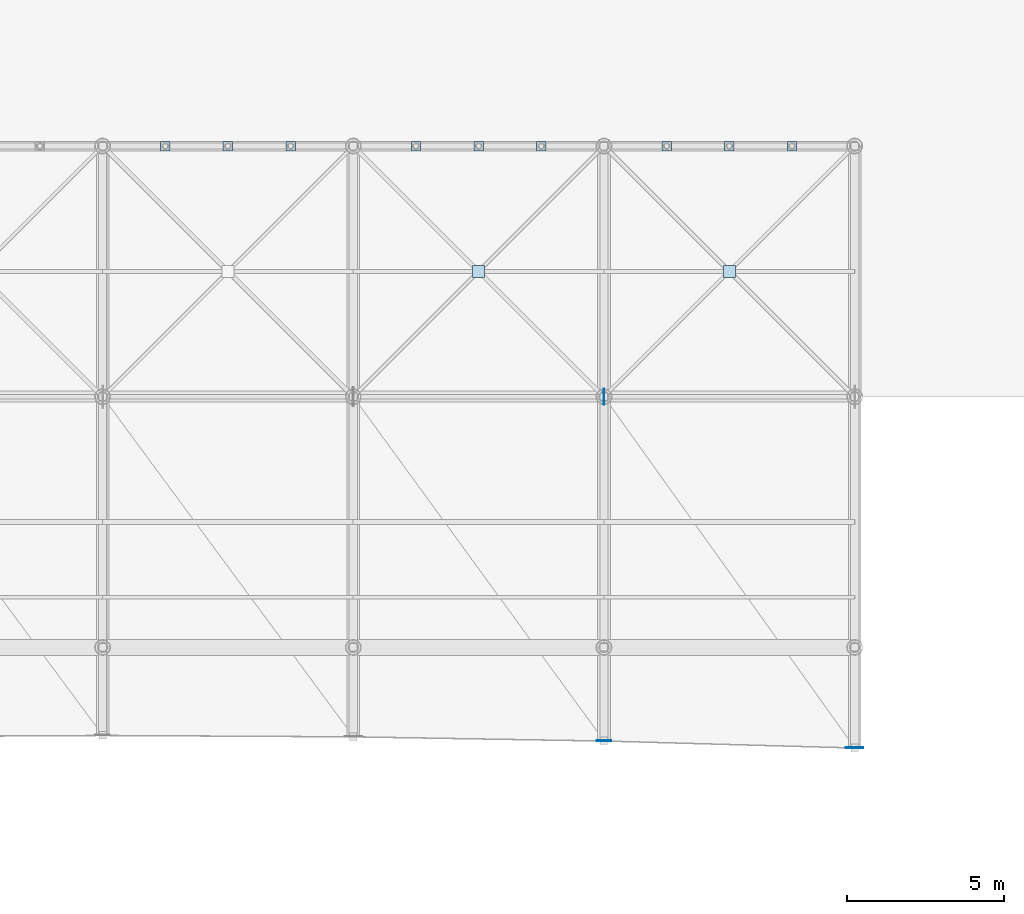
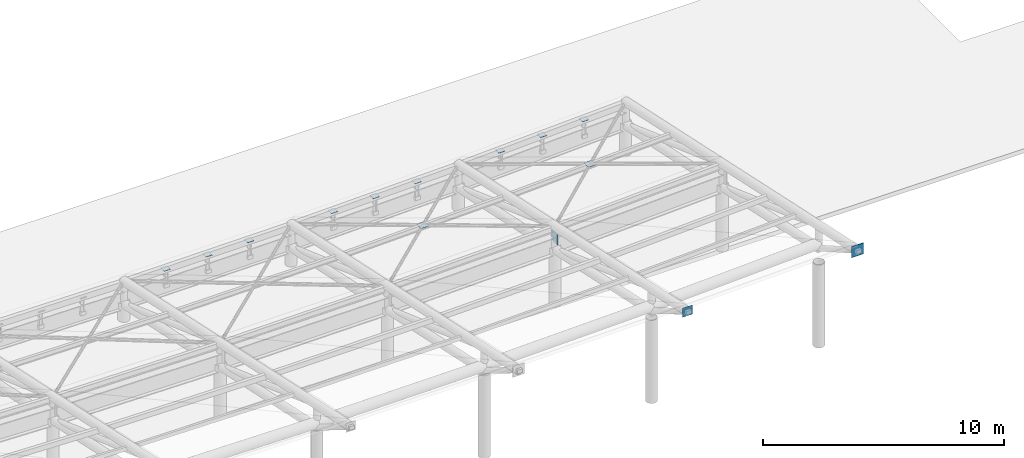
# One storey, part 38 of 54: 14 plates.
"""IFC4 building model written with IfcOpenShell, lengths in metres."""

from ifc_helpers import new_model, si_unit, direction, frame, origin, origin_2d, place, context, subcontext, project, spatial, rectangle, extrude, material, layer, layer_set, type_object, element, save


model = new_model("IFC4")

# Units and contexts
model_context = context("Model", 3, precision=1e-05, world=origin(), true_north=direction((0.0, 1.0)))
body_context = subcontext(model_context, "Body", "Model", "MODEL_VIEW")
ifc_project = project(units=[si_unit("LENGTHUNIT", "METRE"), si_unit("AREAUNIT", "SQUARE_METRE"), si_unit("VOLUMEUNIT", "CUBIC_METRE"), si_unit("PLANEANGLEUNIT", "RADIAN"), si_unit("MASSUNIT", "GRAM", prefix="KILO")], contexts=[model_context])

# Site, building, storey
site_placement = place(None, origin())
site = spatial("IfcSite", under=ifc_project, at=site_placement, CompositionType="ELEMENT")
building_placement = place(site_placement, origin())
building = spatial("IfcBuilding", under=site, at=building_placement, Name="Haebicheon Civic Stadium", CompositionType="ELEMENT")
storey_placement = place(building_placement, frame((0.0, 0.0, 22.800048828125)))
storey = spatial("IfcBuildingStorey", under=building, at=storey_placement, Name="L06", CompositionType="ELEMENT", Elevation=22.800048828125)

# Plates
ifc_material_1 = material(Name="White painted steel SM490", Category="steel")
ifc_layer_1 = layer(ifc_material_1, 0.013916015625, Name="White painted steel SM490")
ifc_layer_set_1 = layer_set([ifc_layer_1], Name="White painted steel SM490")
plate_type_1 = type_object("IfcPlateType", Name="PLT-CAP-14", PredefinedType="SHEET", material=ifc_layer_set_1)
for number, where, z_axis, x_axis, name in (
    (1, (106.0, 160.0, 1.837890625), (0.0, 0.0, 1.0), (1.0, 0.0, 0.0), "CAN-NORTH hanger clevis cap plate 4.1"),
    (2, (108.0, 160.0, 1.85693359375), (0.0, 0.0, 1.0), (1.0, 0.0, 0.0), "CAN-NORTH hanger clevis cap plate 4.2"),
    (3, (110.0, 160.0, 1.875), (0.0, 0.0, 1.0), (1.0, 0.0, 0.0), "CAN-NORTH hanger clevis cap plate 4.3"),
    (4, (114.0, 160.0, 1.94775390625), (0.0, 0.0, 1.0), (1.0, 0.0, 0.0), "CAN-NORTH hanger clevis cap plate 5.1"),
    (5, (116.0, 160.0, 2.0029296875), (0.0, 0.0, 1.0), (1.0, 0.0, 0.0), "CAN-NORTH hanger clevis cap plate 5.2"),
    (6, (118.0, 160.0, 2.05810546875), (0.0, 0.0, 1.0), (1.0, 0.0, 0.0), "CAN-NORTH hanger clevis cap plate 5.3"),
    (7, (122.0, 160.0, 2.205078125), (0.0, 0.0, 1.0), (1.0, 0.0, 0.0), "CAN-NORTH hanger clevis cap plate 6.1"),
    (8, (124.0, 160.0, 2.296875), (0.0, 0.0, 1.0), (1.0, 0.0, 0.0), "CAN-NORTH hanger clevis cap plate 6.2"),
    (9, (126.0, 160.0, 2.38818359375), (0.0, 0.0, 1.0), (1.0, 0.0, 0.0), "CAN-NORTH hanger clevis cap plate 6.3"),
):
    element("IfcPlate", number, at=place(storey_placement, frame(where, z_axis=z_axis, x_axis=x_axis)), inside=storey, type_object=plate_type_1, material=ifc_layer_set_1, Name=name, PredefinedType="SHEET", context=body_context, shape_type="SweptSolid", body=[
        extrude(rectangle(XDim=0.300048828125, YDim=0.300048828125, at=origin_2d()), origin(), (0.0, 0.0, 1.0), 0.013916015625),
    ])
ifc_material_2 = material(Name="White painted steel SM490", Category="steel")
ifc_layer_2 = layer(ifc_material_2, 0.02001953125, Name="White painted steel SM490")
ifc_layer_set_2 = layer_set([ifc_layer_2], Name="White painted steel SM490")
plate_type_2 = type_object("IfcPlateType", Name="PLT-CAP-20", PredefinedType="SHEET", material=ifc_layer_set_2)
plate_1_placement = place(storey_placement, frame((120.0, 141.02197265625, 6.070068359375), z_axis=(0.0, 0.0, 1.0), x_axis=(-1.0, 0.0, 0.0)))
element("IfcPlate", 10, at=plate_1_placement, inside=storey, type_object=plate_type_2, material=ifc_layer_set_2, Name="CAN-NORTH tip end-cap plate 6", PredefinedType="SHEET", context=body_context, shape_type="SweptSolid", body=[
    extrude(rectangle(XDim=0.4599609375, YDim=0.02001953125, at=origin_2d()), origin(), (0.0, 0.0, 1.0), 0.4599609375),
])
ifc_material_3 = material(Name="White painted steel SM490", Category="steel")
ifc_layer_3 = layer(ifc_material_3, 0.02587890625, Name="White painted steel SM490")
ifc_layer_set_3 = layer_set([ifc_layer_3], Name="White painted steel SM490")
plate_type_3 = type_object("IfcPlateType", Name="PLT-CAP-26", PredefinedType="SHEET", material=ifc_layer_set_3)
plate_2_placement = place(storey_placement, frame((128.0, 140.800048828125, 6.434814453125), z_axis=(0.0, 0.0, 1.0), x_axis=(-1.0, 0.0, 0.0)))
element("IfcPlate", 11, at=plate_2_placement, inside=storey, type_object=plate_type_3, material=ifc_layer_set_3, Name="CAN-NORTH tip end-cap plate 7", PredefinedType="SHEET", context=body_context, shape_type="SweptSolid", body=[
    extrude(rectangle(XDim=0.56005859375, YDim=0.02587890625, at=origin_2d()), origin(), (0.0, 0.0, 1.0), 0.56005859375),
])
ifc_material_4 = material(Name="White painted steel SM490", Category="steel")
ifc_layer_4 = layer(ifc_material_4, 0.01806640625, Name="White painted steel SM490")
ifc_layer_set_4 = layer_set([ifc_layer_4], Name="White painted steel SM490")
plate_type_4 = type_object("IfcPlateType", Name="PLT-GUS-18", PredefinedType="USERDEFINED", material=ifc_layer_set_4)
plate_3_placement = place(storey_placement, frame((120.0, 152.0, 3.114990234375), z_axis=(0.0, 0.0, 1.0), x_axis=(0.0, 1.0, 0.0)))
element("IfcPlate", 12, at=plate_3_placement, inside=storey, type_object=plate_type_4, material=ifc_layer_set_4, Name="CAN-NORTH heel node gusset plate KN-H06", ObjectType="GUSSET PLATE", PredefinedType="USERDEFINED", context=body_context, shape_type="SweptSolid", body=[
    extrude(rectangle(XDim=0.5, YDim=0.01806640625, at=origin_2d()), origin(), (0.0, 0.0, 1.0), 0.5),
])
ifc_material_5 = material(Name="White painted steel SM490", Category="steel")
ifc_layer_5 = layer(ifc_material_5, 0.013916015625, Name="White painted steel SM490")
ifc_layer_set_5 = layer_set([ifc_layer_5], Name="White painted steel SM490")
plate_type_5 = type_object("IfcPlateType", Name="PLT-XND-14", PredefinedType="SHEET", material=ifc_layer_set_5)
for number, where, z_axis, x_axis, name in (
    (13, (116.0, 156.0, 2.962890625), (0.0, 0.0, 1.0), (1.0, 0.0, 0.0), "CAN-NORTH X-brace crossing gusset plate 5"),
    (14, (124.0, 156.0, 3.255859375), (0.0, 0.0, 1.0), (1.0, 0.0, 0.0), "CAN-NORTH X-brace crossing gusset plate 6"),
):
    element("IfcPlate", number, at=place(storey_placement, frame(where, z_axis=z_axis, x_axis=x_axis)), inside=storey, type_object=plate_type_5, material=ifc_layer_set_5, Name=name, PredefinedType="SHEET", context=body_context, shape_type="SweptSolid", body=[
        extrude(rectangle(XDim=0.3798828125, YDim=0.3798828125, at=origin_2d()), origin(), (0.0, 0.0, 1.0), 0.013916015625),
    ])

save(model, "model.ifc")
